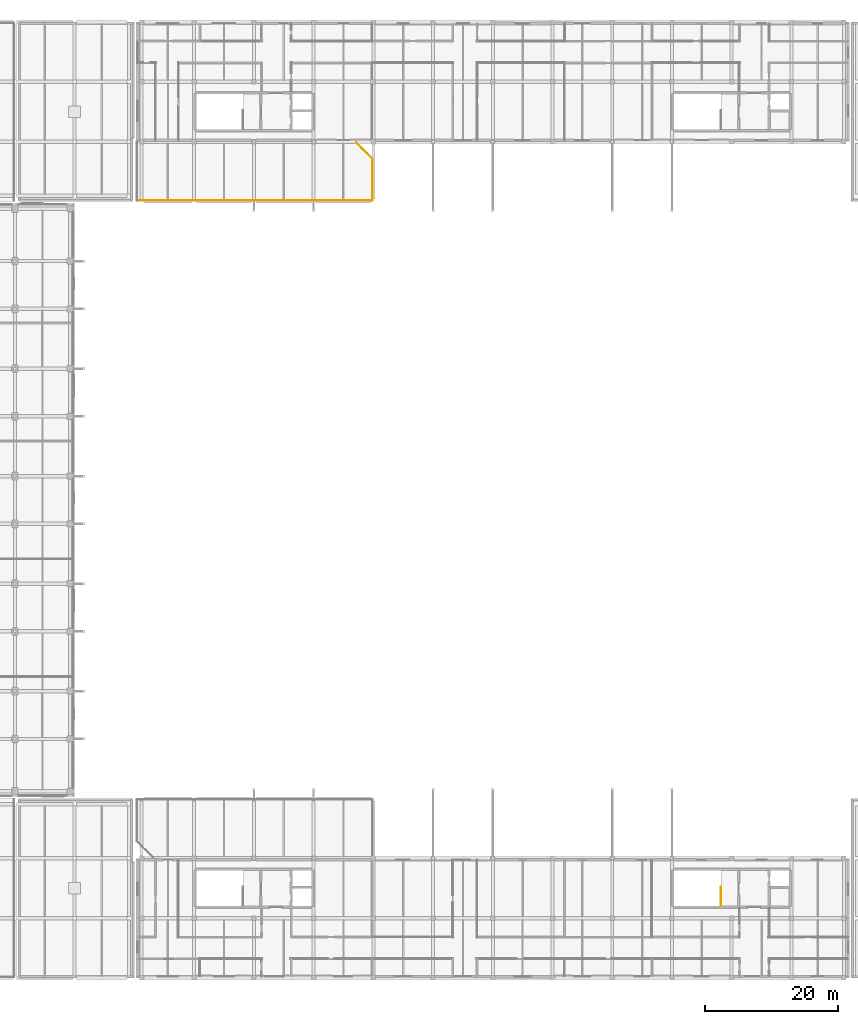
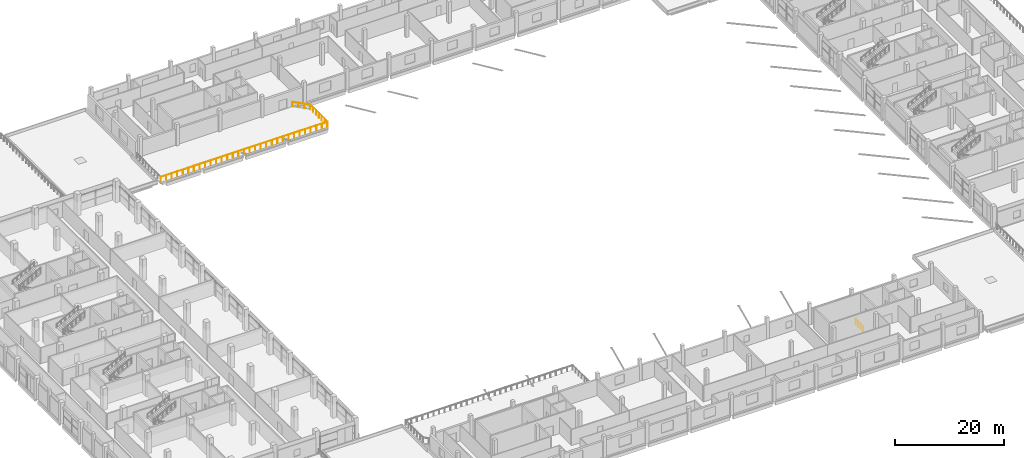
# One storey, part 73 of 82: 4 railings.
"""IFC4 building model written with IfcOpenShell, lengths in metres."""

import ifcopenshell
import ifcopenshell.guid

model = None  # the IFC model being written
_history = None  # IfcOwnerHistory: only IFC2X3 demands one
_inside = {}  # id of a spatial element -> (the spatial element, [elements in it])
_under = {}  # id of a project, library or spatial element -> (it, [spatial elements below it])
_declared = {}  # id of a project -> (the project, [libraries it declares])
_typed = {}  # id of a type object -> (the type object, [elements of that type])
_made_of = {}  # id of a material, layer set ... -> (it, [elements and type objects made of it])


def new_model(schema):
    """Start an empty IFC model of exactly this schema.

    Asked for "IFC4X3", IfcOpenShell would pick the latest addendum, in which some entities
    have other attributes; the version numbers below select the first issue.
    IFC2X3 requires an IfcOwnerHistory on every rooted entity: one is made here for all.
    """
    global model, _history
    if schema == "IFC4X3":
        model = ifcopenshell.file(schema_version=(4, 3, 0, 0))
    else:
        model = ifcopenshell.file(schema=schema)
    _inside.clear()
    _under.clear()
    _declared.clear()
    _typed.clear()
    _made_of.clear()
    _history = None
    if model.schema == "IFC2X3":
        org = make("IfcOrganization", Name="unknown")
        user = make(
            "IfcPersonAndOrganization",
            ThePerson=make("IfcPerson", FamilyName="unknown"),
            TheOrganization=org,
        )
        app = make(
            "IfcApplication",
            ApplicationDeveloper=org,
            Version="unknown",
            ApplicationFullName="unknown",
            ApplicationIdentifier="unknown",
        )
        _history = make(
            "IfcOwnerHistory",
            OwningUser=user,
            OwningApplication=app,
            ChangeAction="ADDED",
            CreationDate=0,
        )
    return model


def make(cls, **values):
    """One entity of the class cls with the attributes given. An attribute that is None is left unset."""
    return model.create_entity(
        cls, **{name: value for name, value in values.items() if value is not None}
    )


def rooted(cls, **values):
    """An entity with a GlobalId (a new one), such as an element, a storey or a relation."""
    return make(cls, GlobalId=ifcopenshell.guid.new(), OwnerHistory=_history, **values)


def si_unit(unit_type, name, prefix=None):
    """IfcSIUnit, for example si_unit("LENGTHUNIT", "METRE", prefix="MILLI")."""
    return make("IfcSIUnit", UnitType=unit_type, Prefix=prefix, Name=name)


def assignment(units):
    """IfcUnitAssignment: the units of a project."""
    return None if units is None else make("IfcUnitAssignment", Units=units)


def point(xyz):
    """IfcCartesianPoint."""
    return None if xyz is None else make("IfcCartesianPoint", Coordinates=xyz)


def direction(xyz):
    """IfcDirection."""
    return None if xyz is None else make("IfcDirection", DirectionRatios=xyz)


def frame(location, z_axis=None, x_axis=None):
    """IfcAxis2Placement3D, a coordinate frame: its origin and axes. An axis left out is left unset."""
    return make(
        "IfcAxis2Placement3D",
        Location=point(location),
        Axis=direction(z_axis),
        RefDirection=direction(x_axis),
    )


def frame_2d(location, x_axis=None):
    """IfcAxis2Placement2D, a coordinate frame in the plane: its origin and x axis."""
    return make(
        "IfcAxis2Placement2D", Location=point(location), RefDirection=direction(x_axis)
    )


def origin():
    """The frame at (0, 0, 0) with its axes left unset."""
    return frame((0.0, 0.0, 0.0))


def origin_2d():
    """The frame at (0, 0) in the plane with its x axis left unset."""
    return frame_2d((0.0, 0.0))


def place(relative_to, where):
    """IfcLocalPlacement: puts the frame where relative to a parent placement (None: the world)."""
    return make(
        "IfcLocalPlacement", PlacementRelTo=relative_to, RelativePlacement=where
    )


def context(
    kind, dimensions, precision=None, world=None, true_north=None, identifier=None
):
    """IfcGeometricRepresentationContext, for example the 3D "Model" context."""
    return make(
        "IfcGeometricRepresentationContext",
        ContextIdentifier=identifier,
        ContextType=kind,
        CoordinateSpaceDimension=dimensions,
        Precision=precision,
        WorldCoordinateSystem=world,
        TrueNorth=true_north,
    )


def subcontext(parent, identifier, kind, view, scale=None):
    """IfcGeometricRepresentationSubContext, for example "Body" below "Model"."""
    return make(
        "IfcGeometricRepresentationSubContext",
        ContextIdentifier=identifier,
        ContextType=kind,
        ParentContext=parent,
        TargetScale=scale,
        TargetView=view,
    )


def project(units=None, contexts=None):
    """IfcProject with its units and contexts."""
    return rooted(
        "IfcProject",
        Name="project",
        RepresentationContexts=contexts,
        UnitsInContext=assignment(units),
    )


def spatial(cls, under=None, at=None, **own):
    """A site, building, storey or space (cls), placed at a placement, below another one or the project."""
    s = rooted(cls, ObjectPlacement=at, **own)
    if under is not None:
        _under.setdefault(under.id(), (under, []))[1].append(s)
    return s


def profile(cls, at=None, kind="AREA", **sizes):
    """A parametric profile (cls). Its sizes go by their IFC names, for example OverallWidth=200.0."""
    return make(cls, ProfileType=kind, Position=at, **sizes)


def circle(**sizes):
    """IfcCircleProfileDef."""
    return profile("IfcCircleProfileDef", **sizes)


def extrude(swept, where, along, depth):
    """IfcExtrudedAreaSolid: the profile swept, set in the frame where, extruded along a direction by depth."""
    return make(
        "IfcExtrudedAreaSolid",
        SweptArea=swept,
        Position=where,
        ExtrudedDirection=direction(along),
        Depth=depth,
    )


def shape(context_of_items, identifier, shape_type, items):
    """IfcShapeRepresentation: the items that make up one representation, for example the "Body"."""
    return make(
        "IfcShapeRepresentation",
        ContextOfItems=context_of_items,
        RepresentationIdentifier=identifier,
        RepresentationType=shape_type,
        Items=items,
    )


def material(Name=None, Category=None):
    """IfcMaterial."""
    return make("IfcMaterial", Name=Name, Category=Category)


def made_of(thing, what):
    """Note that an element or type object is made of a material, layer set ...; save() writes the relation."""
    if what is not None:
        _made_of.setdefault(what.id(), (what, []))[1].append(thing)
    return thing


def type_object(cls, material=None, **own):
    """A type object (cls), such as IfcWallType, which elements share."""
    return made_of(rooted(cls, **own), material)


def element(
    cls,
    number,
    at=None,
    inside=None,
    cuts=None,
    type_object=None,
    material=None,
    context=None,
    identifier="Body",
    shape_type=None,
    held_by="IfcProductDefinitionShape",
    body=None,
    shapes=None,
    **own,
):
    """One element of the class cls, such as IfcWall. Its Tag is "e" and its number.

    at: its placement. inside: the storey or other place that contains it. cuts: it is an
    opening in that element (IfcRelVoidsElement). A single representation is given by context,
    identifier, shape_type and body (its items); several are given by shapes. held_by: the class
    of the entity that holds the representations. save() writes the other relations.
    """
    e = rooted(cls, Tag="e%d" % number, ObjectPlacement=at, **own)
    if body is not None:
        shapes = [shape(context, identifier, shape_type, body)]
    if shapes is not None:
        e.Representation = make(held_by, Representations=shapes)
    if inside is not None:
        _inside.setdefault(inside.id(), (inside, []))[1].append(e)
    if cuts is not None:
        rooted(
            "IfcRelVoidsElement", RelatingBuildingElement=cuts, RelatedOpeningElement=e
        )
    if type_object is not None:
        _typed.setdefault(type_object.id(), (type_object, []))[1].append(e)
    return made_of(e, material)


def aggregate(whole, parts):
    """IfcRelAggregates: a whole, such as a stair, and the parts it consists of."""
    return rooted("IfcRelAggregates", RelatingObject=whole, RelatedObjects=parts)


def save(model, path):
    """Write the relations noted so far, then the file.

    IfcRelAggregates (storeys below a building ...), IfcRelContainedInSpatialStructure (elements
    in a storey), IfcRelDefinesByType, IfcRelAssociatesMaterial and IfcRelDeclares: one each for
    every whole, place, type object, material and project.
    """
    for whole, parts in _under.values():
        aggregate(whole, parts)
    for where, things in _inside.values():
        rooted(
            "IfcRelContainedInSpatialStructure",
            RelatedElements=things,
            RelatingStructure=where,
        )
    for kind, things in _typed.values():
        rooted("IfcRelDefinesByType", RelatedObjects=things, RelatingType=kind)
    for what, things in _made_of.values():
        rooted("IfcRelAssociatesMaterial", RelatedObjects=things, RelatingMaterial=what)
    for by, libraries in _declared.values():
        rooted("IfcRelDeclares", RelatingContext=by, RelatedDefinitions=libraries)
    model.write(path)


model = new_model("IFC4")

# Units and contexts
model_context = context("Model", 3, precision=1e-05, world=origin(), true_north=direction((0.0, 1.0)))
body_context = subcontext(model_context, "Body", "Model", "MODEL_VIEW")
ifc_project = project(units=[si_unit("LENGTHUNIT", "METRE"), si_unit("AREAUNIT", "SQUARE_METRE"), si_unit("VOLUMEUNIT", "CUBIC_METRE"), si_unit("PLANEANGLEUNIT", "RADIAN"), si_unit("MASSUNIT", "GRAM", prefix="KILO"), si_unit("THERMODYNAMICTEMPERATUREUNIT", "KELVIN"), si_unit("POWERUNIT", "WATT")], contexts=[model_context])

# Site, building, storey
site_placement = place(None, origin())
site = spatial("IfcSite", under=ifc_project, at=site_placement, CompositionType="ELEMENT")
building_placement = place(site_placement, origin())
building = spatial("IfcBuilding", under=site, at=building_placement, Name="Sindhuravela Promenade Stadium", CompositionType="ELEMENT")
storey_placement = place(building_placement, frame((0.0, 0.0, 14.39990234375)))
storey = spatial("IfcBuildingStorey", under=building, at=storey_placement, Name="L03", CompositionType="ELEMENT", Elevation=14.39990234375)

# Railings
ifc_material = material(Name="Architectural wrought steel E350", Category="steel")
railing_type_1 = type_object("IfcRailingType", Name="RL-BAL-1150", PredefinedType="BALUSTRADE", material=ifc_material)
railing_1_placement = place(storey_placement, frame((87.422119140625, 134.860107421875, 0.0)))
element("IfcRailing", 1, at=railing_1_placement, inside=storey, type_object=railing_type_1, Name="Terrace wrought balustrade BL01-42", PredefinedType="BALUSTRADE", context=body_context, shape_type="SweptSolid", body=[
    extrude(circle(Radius=0.02392578125, at=origin_2d()), frame((0.0, 0.0, 1.1259765625), z_axis=(0.7071067811865476, -0.7071067811865476, 0.0), x_axis=(0.7071067811865476, 0.7071067811865476, 0.0)), (0.0, 0.0, 1.0), 3.44775390625),
    extrude(circle(Radius=0.02099609375, at=origin_2d()), origin(), (0.0, 0.0, 1.0), 1.101806640625),
    extrude(circle(Radius=0.02099609375, at=origin_2d()), frame((0.812744140625, -0.812744140625, 0.0)), (0.0, 0.0, 1.0), 1.101806640625),
    extrude(circle(Radius=0.02099609375, at=origin_2d()), frame((1.625244140625, -1.625244140625, 0.0)), (0.0, 0.0, 1.0), 1.101806640625),
    extrude(circle(Radius=0.02099609375, at=origin_2d()), frame((2.43798828125, -2.43798828125, 0.0)), (0.0, 0.0, 1.0), 1.101806640625),
])
railing_2_placement = place(storey_placement, frame((89.860107421875, 132.422119140625, 0.0)))
element("IfcRailing", 2, at=railing_2_placement, inside=storey, type_object=railing_type_1, Name="Terrace wrought balustrade BL01-43", PredefinedType="BALUSTRADE", context=body_context, shape_type="SweptSolid", body=[
    extrude(circle(Radius=0.02392578125, at=origin_2d()), frame((0.0, 0.0, 1.1259765625), z_axis=(0.0, -1.0, 0.0), x_axis=(1.0, 0.0, 0.0)), (0.0, 0.0, 1.0), 6.2822265625),
    extrude(circle(Radius=0.02099609375, at=origin_2d()), origin(), (0.0, 0.0, 1.0), 1.101806640625),
    extrude(circle(Radius=0.02099609375, at=origin_2d()), frame((0.0, -1.047119140625, 0.0)), (0.0, 0.0, 1.0), 1.101806640625),
    extrude(circle(Radius=0.02099609375, at=origin_2d()), frame((0.0, -2.093994140625, 0.0)), (0.0, 0.0, 1.0), 1.101806640625),
    extrude(circle(Radius=0.02099609375, at=origin_2d()), frame((0.0, -3.14111328125, 0.0)), (0.0, 0.0, 1.0), 1.101806640625),
    extrude(circle(Radius=0.02099609375, at=origin_2d()), frame((0.0, -4.188232421875, 0.0)), (0.0, 0.0, 1.0), 1.101806640625),
    extrude(circle(Radius=0.02099609375, at=origin_2d()), frame((0.0, -5.235107421875, 0.0)), (0.0, 0.0, 1.0), 1.101806640625),
    extrude(circle(Radius=0.02099609375, at=origin_2d()), frame((0.0, -6.2822265625, 0.0)), (0.0, 0.0, 1.0), 1.101806640625),
])
railing_3_placement = place(storey_placement, frame((89.860107421875, 126.139892578125, 0.0)))
element("IfcRailing", 3, at=railing_3_placement, inside=storey, type_object=railing_type_1, Name="Terrace wrought balustrade BL01-44", PredefinedType="BALUSTRADE", context=body_context, shape_type="SweptSolid", body=[
    extrude(circle(Radius=0.02392578125, at=origin_2d()), frame((0.0, 0.0, 1.1259765625), z_axis=(-1.0, 0.0, 0.0), x_axis=(0.0, -1.0, 0.0)), (0.0, 0.0, 1.0), 35.47021484375),
    extrude(circle(Radius=0.02099609375, at=origin_2d()), origin(), (0.0, 0.0, 1.0), 1.101806640625),
    extrude(circle(Radius=0.02099609375, at=origin_2d()), frame((-1.182373046875, 0.0, 0.0)), (0.0, 0.0, 1.0), 1.101806640625),
    extrude(circle(Radius=0.02099609375, at=origin_2d()), frame((-2.36474609375, 0.0, 0.0)), (0.0, 0.0, 1.0), 1.101806640625),
    extrude(circle(Radius=0.02099609375, at=origin_2d()), frame((-3.547119140625, 0.0, 0.0)), (0.0, 0.0, 1.0), 1.101806640625),
    extrude(circle(Radius=0.02099609375, at=origin_2d()), frame((-4.729248046875, 0.0, 0.0)), (0.0, 0.0, 1.0), 1.101806640625),
    extrude(circle(Radius=0.02099609375, at=origin_2d()), frame((-5.91162109375, 0.0, 0.0)), (0.0, 0.0, 1.0), 1.101806640625),
    extrude(circle(Radius=0.02099609375, at=origin_2d()), frame((-7.093994140625, 0.0, 0.0)), (0.0, 0.0, 1.0), 1.101806640625),
    extrude(circle(Radius=0.02099609375, at=origin_2d()), frame((-8.2763671875, 0.0, 0.0)), (0.0, 0.0, 1.0), 1.101806640625),
    extrude(circle(Radius=0.02099609375, at=origin_2d()), frame((-9.458740234375, 0.0, 0.0)), (0.0, 0.0, 1.0), 1.101806640625),
    extrude(circle(Radius=0.02099609375, at=origin_2d()), frame((-10.64111328125, 0.0, 0.0)), (0.0, 0.0, 1.0), 1.101806640625),
    extrude(circle(Radius=0.02099609375, at=origin_2d()), frame((-11.823486328125, 0.0, 0.0)), (0.0, 0.0, 1.0), 1.101806640625),
    extrude(circle(Radius=0.02099609375, at=origin_2d()), frame((-13.005859375, 0.0, 0.0)), (0.0, 0.0, 1.0), 1.101806640625),
    extrude(circle(Radius=0.02099609375, at=origin_2d()), frame((-14.18798828125, 0.0, 0.0)), (0.0, 0.0, 1.0), 1.101806640625),
    extrude(circle(Radius=0.02099609375, at=origin_2d()), frame((-15.370361328125, 0.0, 0.0)), (0.0, 0.0, 1.0), 1.101806640625),
    extrude(circle(Radius=0.02099609375, at=origin_2d()), frame((-16.552734375, 0.0, 0.0)), (0.0, 0.0, 1.0), 1.101806640625),
    extrude(circle(Radius=0.02099609375, at=origin_2d()), frame((-17.735107421875, 0.0, 0.0)), (0.0, 0.0, 1.0), 1.101806640625),
    extrude(circle(Radius=0.02099609375, at=origin_2d()), frame((-18.91748046875, 0.0, 0.0)), (0.0, 0.0, 1.0), 1.101806640625),
    extrude(circle(Radius=0.02099609375, at=origin_2d()), frame((-20.099853515625, 0.0, 0.0)), (0.0, 0.0, 1.0), 1.101806640625),
    extrude(circle(Radius=0.02099609375, at=origin_2d()), frame((-21.2822265625, 0.0, 0.0)), (0.0, 0.0, 1.0), 1.101806640625),
    extrude(circle(Radius=0.02099609375, at=origin_2d()), frame((-22.46435546875, 0.0, 0.0)), (0.0, 0.0, 1.0), 1.101806640625),
    extrude(circle(Radius=0.02099609375, at=origin_2d()), frame((-23.646728515625, 0.0, 0.0)), (0.0, 0.0, 1.0), 1.101806640625),
    extrude(circle(Radius=0.02099609375, at=origin_2d()), frame((-24.8291015625, 0.0, 0.0)), (0.0, 0.0, 1.0), 1.101806640625),
    extrude(circle(Radius=0.02099609375, at=origin_2d()), frame((-26.011474609375, 0.0, 0.0)), (0.0, 0.0, 1.0), 1.101806640625),
    extrude(circle(Radius=0.02099609375, at=origin_2d()), frame((-27.19384765625, 0.0, 0.0)), (0.0, 0.0, 1.0), 1.101806640625),
    extrude(circle(Radius=0.02099609375, at=origin_2d()), frame((-28.376220703125, 0.0, 0.0)), (0.0, 0.0, 1.0), 1.101806640625),
    extrude(circle(Radius=0.02099609375, at=origin_2d()), frame((-29.55859375, 0.0, 0.0)), (0.0, 0.0, 1.0), 1.101806640625),
    extrude(circle(Radius=0.02099609375, at=origin_2d()), frame((-30.740966796875, 0.0, 0.0)), (0.0, 0.0, 1.0), 1.101806640625),
    extrude(circle(Radius=0.02099609375, at=origin_2d()), frame((-31.923095703125, 0.0, 0.0)), (0.0, 0.0, 1.0), 1.101806640625),
    extrude(circle(Radius=0.02099609375, at=origin_2d()), frame((-33.10546875, 0.0, 0.0)), (0.0, 0.0, 1.0), 1.101806640625),
    extrude(circle(Radius=0.02099609375, at=origin_2d()), frame((-34.287841796875, 0.0, 0.0)), (0.0, 0.0, 1.0), 1.101806640625),
    extrude(circle(Radius=0.02099609375, at=origin_2d()), frame((-35.47021484375, 0.0, 0.0)), (0.0, 0.0, 1.0), 1.101806640625),
])
railing_type_2 = type_object("IfcRailingType", Name="RL-GRD-1150", PredefinedType="GUARDRAIL", material=ifc_material)
railing_4_placement = place(storey_placement, frame((142.3798828125, 19.860107421875, 0.0)))
element("IfcRailing", 4, at=railing_4_placement, inside=storey, type_object=railing_type_2, Name="Stair ST12 top landing well guard (L03)", PredefinedType="GUARDRAIL", context=body_context, shape_type="SweptSolid", body=[
    extrude(circle(Radius=0.02392578125, at=origin_2d()), frame((0.0, 0.0, 1.1259765625), z_axis=(0.0, 1.0, 0.0), x_axis=(-1.0, 0.0, 0.0)), (0.0, 0.0, 1.0), 2.829833984375),
    extrude(circle(Radius=0.02099609375, at=origin_2d()), origin(), (0.0, 0.0, 1.0), 1.101806640625),
    extrude(circle(Radius=0.02099609375, at=origin_2d()), frame((0.0, 0.943359375, 0.0)), (0.0, 0.0, 1.0), 1.101806640625),
    extrude(circle(Radius=0.02099609375, at=origin_2d()), frame((0.0, 1.886474609375, 0.0)), (0.0, 0.0, 1.0), 1.101806640625),
    extrude(circle(Radius=0.02099609375, at=origin_2d()), frame((0.0, 2.829833984375, 0.0)), (0.0, 0.0, 1.0), 1.101806640625),
])

save(model, "model.ifc")
